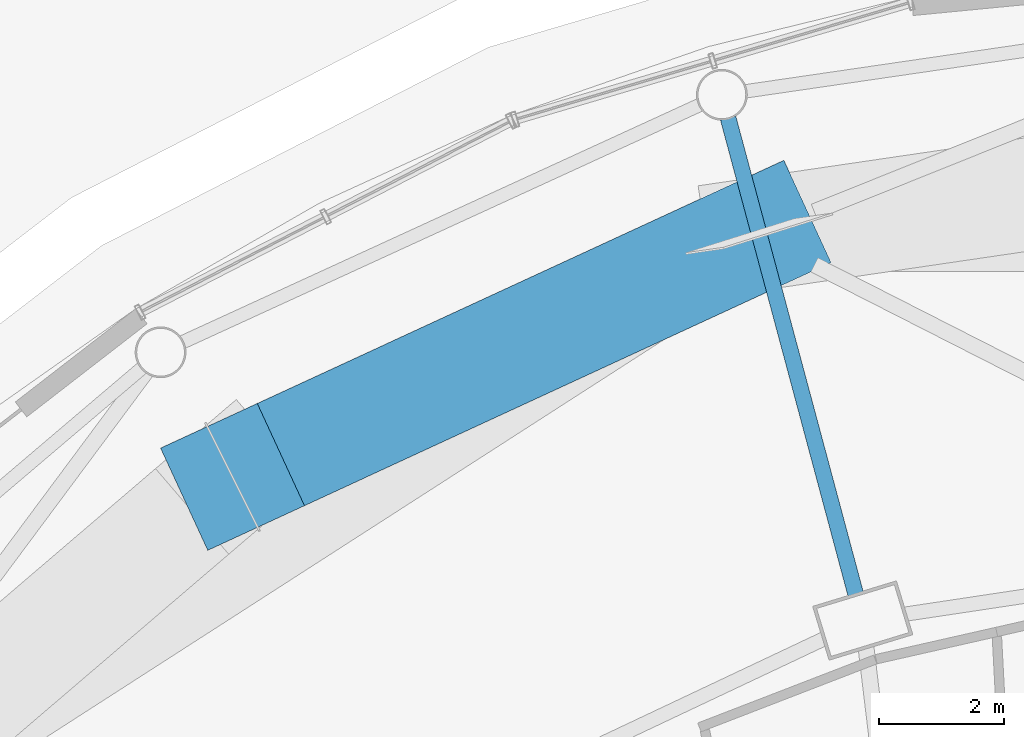
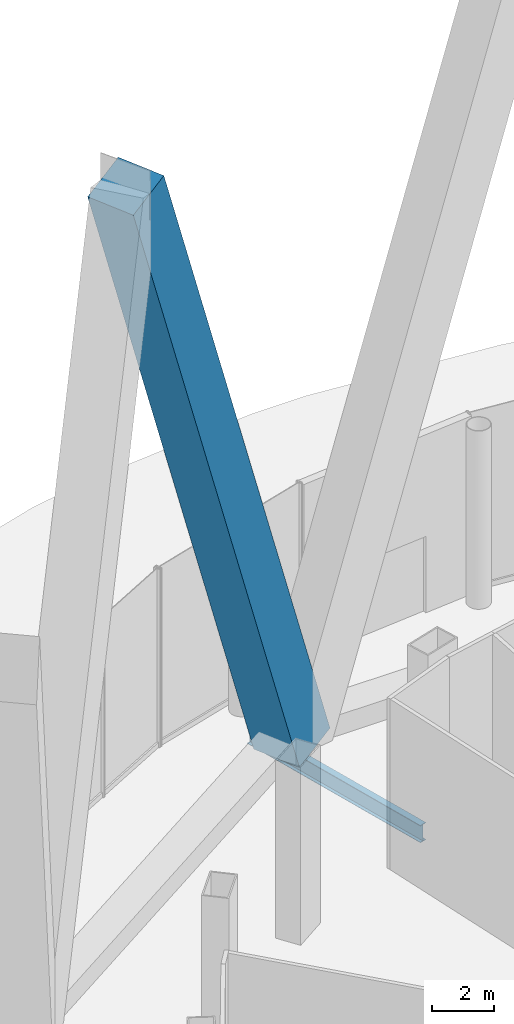
# One storey, part 46 of 67: 1 beam, 1 member.
"""IFC4 building model written with IfcOpenShell, lengths in metres."""

import ifcopenshell
import ifcopenshell.guid

model = None  # the IFC model being written
_history = None  # IfcOwnerHistory: only IFC2X3 demands one
_inside = {}  # id of a spatial element -> (the spatial element, [elements in it])
_under = {}  # id of a project, library or spatial element -> (it, [spatial elements below it])
_declared = {}  # id of a project -> (the project, [libraries it declares])
_typed = {}  # id of a type object -> (the type object, [elements of that type])
_made_of = {}  # id of a material, layer set ... -> (it, [elements and type objects made of it])


def new_model(schema):
    """Start an empty IFC model of exactly this schema.

    Asked for "IFC4X3", IfcOpenShell would pick the latest addendum, in which some entities
    have other attributes; the version numbers below select the first issue.
    IFC2X3 requires an IfcOwnerHistory on every rooted entity: one is made here for all.
    """
    global model, _history
    if schema == "IFC4X3":
        model = ifcopenshell.file(schema_version=(4, 3, 0, 0))
    else:
        model = ifcopenshell.file(schema=schema)
    _inside.clear()
    _under.clear()
    _declared.clear()
    _typed.clear()
    _made_of.clear()
    _history = None
    if model.schema == "IFC2X3":
        org = make("IfcOrganization", Name="unknown")
        user = make(
            "IfcPersonAndOrganization",
            ThePerson=make("IfcPerson", FamilyName="unknown"),
            TheOrganization=org,
        )
        app = make(
            "IfcApplication",
            ApplicationDeveloper=org,
            Version="unknown",
            ApplicationFullName="unknown",
            ApplicationIdentifier="unknown",
        )
        _history = make(
            "IfcOwnerHistory",
            OwningUser=user,
            OwningApplication=app,
            ChangeAction="ADDED",
            CreationDate=0,
        )
    return model


def make(cls, **values):
    """One entity of the class cls with the attributes given. An attribute that is None is left unset."""
    return model.create_entity(
        cls, **{name: value for name, value in values.items() if value is not None}
    )


def rooted(cls, **values):
    """An entity with a GlobalId (a new one), such as an element, a storey or a relation."""
    return make(cls, GlobalId=ifcopenshell.guid.new(), OwnerHistory=_history, **values)


def si_unit(unit_type, name, prefix=None):
    """IfcSIUnit, for example si_unit("LENGTHUNIT", "METRE", prefix="MILLI")."""
    return make("IfcSIUnit", UnitType=unit_type, Prefix=prefix, Name=name)


def assignment(units):
    """IfcUnitAssignment: the units of a project."""
    return None if units is None else make("IfcUnitAssignment", Units=units)


def point(xyz):
    """IfcCartesianPoint."""
    return None if xyz is None else make("IfcCartesianPoint", Coordinates=xyz)


def direction(xyz):
    """IfcDirection."""
    return None if xyz is None else make("IfcDirection", DirectionRatios=xyz)


def frame(location, z_axis=None, x_axis=None):
    """IfcAxis2Placement3D, a coordinate frame: its origin and axes. An axis left out is left unset."""
    return make(
        "IfcAxis2Placement3D",
        Location=point(location),
        Axis=direction(z_axis),
        RefDirection=direction(x_axis),
    )


def frame_2d(location, x_axis=None):
    """IfcAxis2Placement2D, a coordinate frame in the plane: its origin and x axis."""
    return make(
        "IfcAxis2Placement2D", Location=point(location), RefDirection=direction(x_axis)
    )


def origin():
    """The frame at (0, 0, 0) with its axes left unset."""
    return frame((0.0, 0.0, 0.0))


def origin_2d():
    """The frame at (0, 0) in the plane with its x axis left unset."""
    return frame_2d((0.0, 0.0))


def place(relative_to, where):
    """IfcLocalPlacement: puts the frame where relative to a parent placement (None: the world)."""
    return make(
        "IfcLocalPlacement", PlacementRelTo=relative_to, RelativePlacement=where
    )


def context(
    kind, dimensions, precision=None, world=None, true_north=None, identifier=None
):
    """IfcGeometricRepresentationContext, for example the 3D "Model" context."""
    return make(
        "IfcGeometricRepresentationContext",
        ContextIdentifier=identifier,
        ContextType=kind,
        CoordinateSpaceDimension=dimensions,
        Precision=precision,
        WorldCoordinateSystem=world,
        TrueNorth=true_north,
    )


def subcontext(parent, identifier, kind, view, scale=None):
    """IfcGeometricRepresentationSubContext, for example "Body" below "Model"."""
    return make(
        "IfcGeometricRepresentationSubContext",
        ContextIdentifier=identifier,
        ContextType=kind,
        ParentContext=parent,
        TargetScale=scale,
        TargetView=view,
    )


def project(units=None, contexts=None):
    """IfcProject with its units and contexts."""
    return rooted(
        "IfcProject",
        Name="project",
        RepresentationContexts=contexts,
        UnitsInContext=assignment(units),
    )


def spatial(cls, under=None, at=None, **own):
    """A site, building, storey or space (cls), placed at a placement, below another one or the project."""
    s = rooted(cls, ObjectPlacement=at, **own)
    if under is not None:
        _under.setdefault(under.id(), (under, []))[1].append(s)
    return s


def profile(cls, at=None, kind="AREA", **sizes):
    """A parametric profile (cls). Its sizes go by their IFC names, for example OverallWidth=200.0."""
    return make(cls, ProfileType=kind, Position=at, **sizes)


def rectangle(**sizes):
    """IfcRectangleProfileDef."""
    return profile("IfcRectangleProfileDef", **sizes)


def i_section(**sizes):
    """IfcIShapeProfileDef."""
    return profile("IfcIShapeProfileDef", **sizes)


def extrude(swept, where, along, depth):
    """IfcExtrudedAreaSolid: the profile swept, set in the frame where, extruded along a direction by depth."""
    return make(
        "IfcExtrudedAreaSolid",
        SweptArea=swept,
        Position=where,
        ExtrudedDirection=direction(along),
        Depth=depth,
    )


def shape(context_of_items, identifier, shape_type, items):
    """IfcShapeRepresentation: the items that make up one representation, for example the "Body"."""
    return make(
        "IfcShapeRepresentation",
        ContextOfItems=context_of_items,
        RepresentationIdentifier=identifier,
        RepresentationType=shape_type,
        Items=items,
    )


def material(Name=None, Category=None):
    """IfcMaterial."""
    return make("IfcMaterial", Name=Name, Category=Category)


def material_profile(
    of_material, cross_section, Name=None, Category=None, Priority=None
):
    """IfcMaterialProfile: a cross section and its material."""
    return make(
        "IfcMaterialProfile",
        Name=Name,
        Material=of_material,
        Profile=cross_section,
        Priority=Priority,
        Category=Category,
    )


def profile_set(profiles, Name=None, composite=None):
    """IfcMaterialProfileSet."""
    return make(
        "IfcMaterialProfileSet",
        Name=Name,
        MaterialProfiles=profiles,
        CompositeProfile=composite,
    )


def made_of(thing, what):
    """Note that an element or type object is made of a material, layer set ...; save() writes the relation."""
    if what is not None:
        _made_of.setdefault(what.id(), (what, []))[1].append(thing)
    return thing


def type_object(cls, material=None, **own):
    """A type object (cls), such as IfcWallType, which elements share."""
    return made_of(rooted(cls, **own), material)


def element(
    cls,
    number,
    at=None,
    inside=None,
    cuts=None,
    type_object=None,
    material=None,
    context=None,
    identifier="Body",
    shape_type=None,
    held_by="IfcProductDefinitionShape",
    body=None,
    shapes=None,
    **own,
):
    """One element of the class cls, such as IfcWall. Its Tag is "e" and its number.

    at: its placement. inside: the storey or other place that contains it. cuts: it is an
    opening in that element (IfcRelVoidsElement). A single representation is given by context,
    identifier, shape_type and body (its items); several are given by shapes. held_by: the class
    of the entity that holds the representations. save() writes the other relations.
    """
    e = rooted(cls, Tag="e%d" % number, ObjectPlacement=at, **own)
    if body is not None:
        shapes = [shape(context, identifier, shape_type, body)]
    if shapes is not None:
        e.Representation = make(held_by, Representations=shapes)
    if inside is not None:
        _inside.setdefault(inside.id(), (inside, []))[1].append(e)
    if cuts is not None:
        rooted(
            "IfcRelVoidsElement", RelatingBuildingElement=cuts, RelatedOpeningElement=e
        )
    if type_object is not None:
        _typed.setdefault(type_object.id(), (type_object, []))[1].append(e)
    return made_of(e, material)


def aggregate(whole, parts):
    """IfcRelAggregates: a whole, such as a stair, and the parts it consists of."""
    return rooted("IfcRelAggregates", RelatingObject=whole, RelatedObjects=parts)


def save(model, path):
    """Write the relations noted so far, then the file.

    IfcRelAggregates (storeys below a building ...), IfcRelContainedInSpatialStructure (elements
    in a storey), IfcRelDefinesByType, IfcRelAssociatesMaterial and IfcRelDeclares: one each for
    every whole, place, type object, material and project.
    """
    for whole, parts in _under.values():
        aggregate(whole, parts)
    for where, things in _inside.values():
        rooted(
            "IfcRelContainedInSpatialStructure",
            RelatedElements=things,
            RelatingStructure=where,
        )
    for kind, things in _typed.values():
        rooted("IfcRelDefinesByType", RelatedObjects=things, RelatingType=kind)
    for what, things in _made_of.values():
        rooted("IfcRelAssociatesMaterial", RelatedObjects=things, RelatingMaterial=what)
    for by, libraries in _declared.values():
        rooted("IfcRelDeclares", RelatingContext=by, RelatedDefinitions=libraries)
    model.write(path)


model = new_model("IFC4")

# Units and contexts
model_context = context("Model", 3, precision=1e-05, world=origin(), true_north=direction((0.0, 1.0)))
body_context = subcontext(model_context, "Body", "Model", "MODEL_VIEW")
ifc_project = project(units=[si_unit("LENGTHUNIT", "METRE"), si_unit("AREAUNIT", "SQUARE_METRE"), si_unit("VOLUMEUNIT", "CUBIC_METRE"), si_unit("PLANEANGLEUNIT", "RADIAN"), si_unit("MASSUNIT", "GRAM", prefix="KILO")], contexts=[model_context])

# Site, building, storey
site_placement = place(None, origin())
site = spatial("IfcSite", under=ifc_project, at=site_placement, CompositionType="ELEMENT")
building_placement = place(site_placement, origin())
building = spatial("IfcBuilding", under=site, at=building_placement, Name="Nagisa Residences", CompositionType="ELEMENT")
storey_placement = place(building_placement, origin())
storey = spatial("IfcBuildingStorey", under=building, at=storey_placement, Name="L00", CompositionType="ELEMENT", Elevation=0.0)

# Beam
ifc_material_1 = material(Name="Steel ASTM A572 Gr 50", Category="steel")
ifc_material_profile_1 = material_profile(ifc_material_1, i_section(OverallWidth=0.2529296875, OverallDepth=0.677978515625, WebThickness=0.01171875, FlangeThickness=0.016357421875, at=origin_2d()), Name="W690x125")
ifc_profile_set_1 = profile_set([ifc_material_profile_1], Name="Steel ASTM A572 Gr 50")
beam_type = type_object("IfcBeamType", Name="Atrium outer beam W690x125", PredefinedType="BEAM", material=ifc_profile_set_1)
beam_placement = place(storey_placement, frame((-3.8876953125, 31.80810546875, -0.739013671875), z_axis=(-0.258809356376, 0.965928422324, 0.0), x_axis=(-0.965928422324, -0.258809356376, 0.0)))
element("IfcBeam", 1, at=beam_placement, inside=storey, type_object=beam_type, Name="beam:L00:er08", PredefinedType="BEAM", context=body_context, shape_type="SweptSolid", body=[
    extrude(i_section(OverallWidth=0.2529296875, OverallDepth=0.677978515625, WebThickness=0.01171875, FlangeThickness=0.016357421875, at=origin_2d()), origin(), (0.0, 0.0, 1.0), 7.88330078125),
])

# Member
ifc_material_2 = material(Name="Concrete C80", Category="concrete")
ifc_material_profile_2 = material_profile(ifc_material_2, rectangle(XDim=1.800048828125, YDim=1.800048828125, at=origin_2d()), Name="C80 1800x1800")
ifc_profile_set_2 = profile_set([ifc_material_profile_2], Name="Concrete C80")
member_type = type_object("IfcMemberType", Name="Cage diagonal 1 C80 1800x1800", PredefinedType="BRACE", material=ifc_profile_set_2)
member_placement = place(storey_placement, frame((-5.432861328125, 37.574462890625, 0.0), z_axis=(-0.294851836473, -0.136124276507, 0.945797322831), x_axis=(0.419156702322, -0.907913905004, 0.0)))
element("IfcMember", 2, at=member_placement, inside=storey, type_object=member_type, Name="mem:L00:cg1d008", PredefinedType="BRACE", context=body_context, shape_type="SweptSolid", body=[
    extrude(rectangle(XDim=1.800048828125, YDim=1.800048828125, at=origin_2d()), origin(), (0.0, 0.0, 1.0), 28.54736328125),
])

save(model, "model.ifc")
